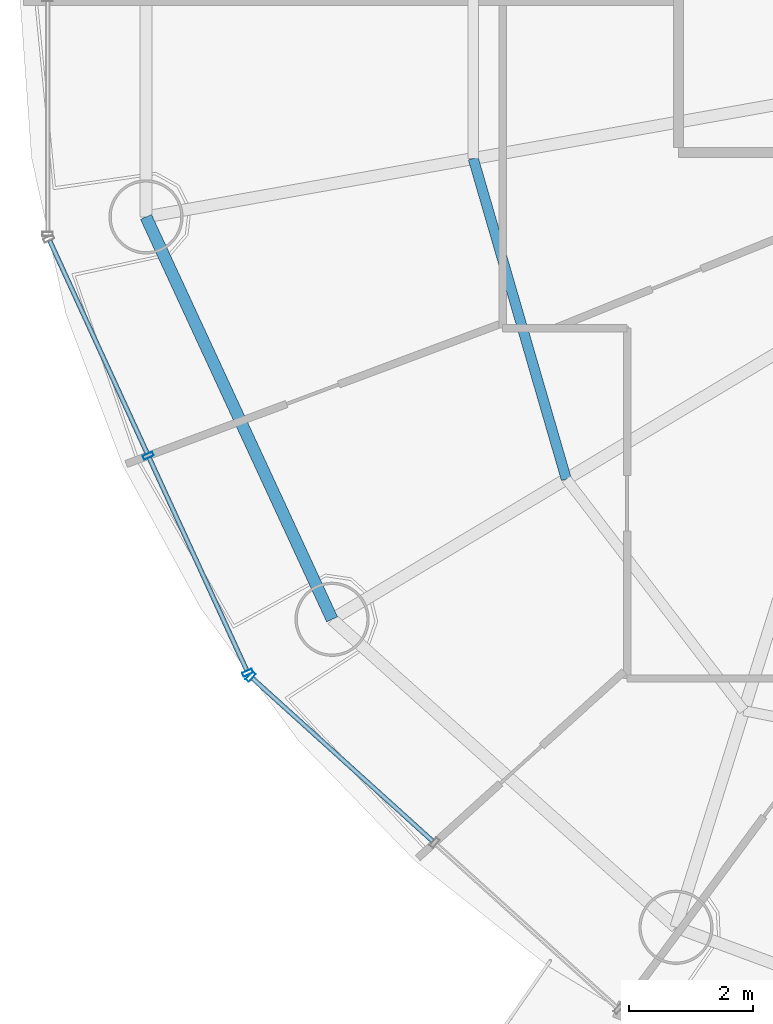
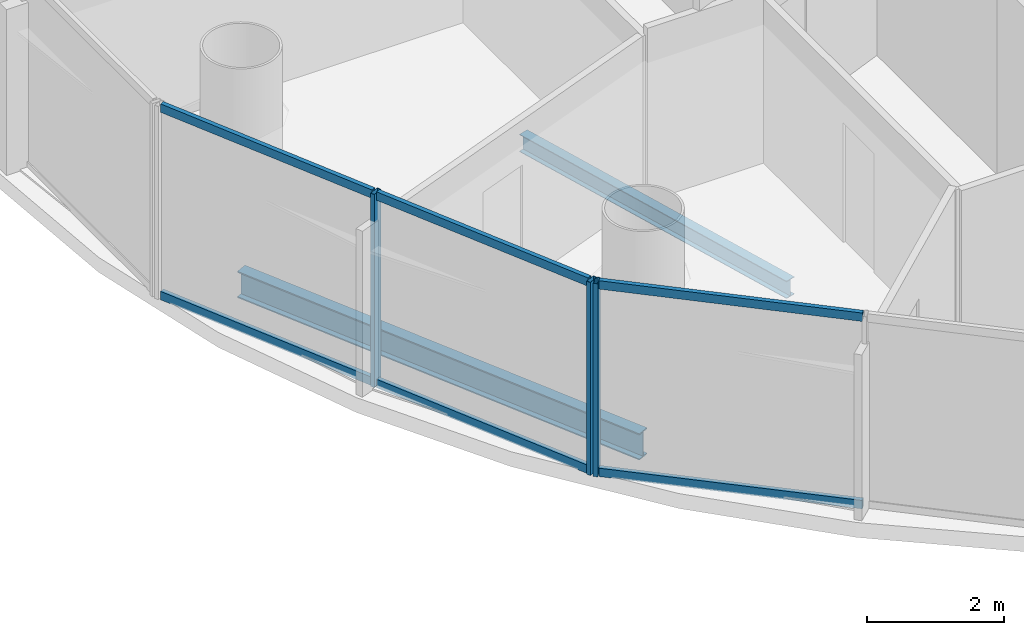
# One storey, part 3 of 26: 9 members, 2 beams, 2 elements without a shape of their own.
"""IFC4 building model written with IfcOpenShell, lengths in metres."""

from ifc_helpers import new_model, si_unit, direction, frame, origin, origin_2d, place, context, subcontext, project, spatial, hollow_rectangle, i_section, extrude, source, transform, mapped, material, material_profile, profile_set, type_object, element, aggregate, save


model = new_model("IFC4")

# Units and contexts
model_context = context("Model", 3, precision=1e-05, world=origin(), true_north=direction((-0.2419218956, 0.970295726276)))
body_context = subcontext(model_context, "Body", "Model", "MODEL_VIEW")
ifc_project = project(units=[si_unit("LENGTHUNIT", "METRE"), si_unit("AREAUNIT", "SQUARE_METRE"), si_unit("VOLUMEUNIT", "CUBIC_METRE"), si_unit("PLANEANGLEUNIT", "RADIAN"), si_unit("MASSUNIT", "GRAM", prefix="KILO")], contexts=[model_context])

# Site, building, storey
site_placement = place(None, origin())
site = spatial("IfcSite", under=ifc_project, at=site_placement, CompositionType="ELEMENT")
building_placement = place(site_placement, origin())
building = spatial("IfcBuilding", under=site, at=building_placement, Name="Cobrevalo Terracotta Tower", CompositionType="ELEMENT")
storey_placement = place(building_placement, frame((0.0, 0.0, 217.10009765625)))
storey = spatial("IfcBuildingStorey", under=building, at=storey_placement, Name="L57", CompositionType="ELEMENT", Elevation=217.10009765625)

# Beams
ifc_material_1 = material(Name="Steel S355", Category="steel")
ifc_material_profile_1 = material_profile(ifc_material_1, i_section(OverallWidth=0.1650390625, OverallDepth=0.31005859375, WebThickness=0.005859375, FlangeThickness=0.009765625, at=origin_2d()), Name="W 310x38.7")
ifc_profile_set_1 = profile_set([ifc_material_profile_1], Name="Steel S355")
beam_type_1 = type_object("IfcBeamType", Name="Structural Joist W 310x38.7 (Steel S355)", PredefinedType="JOIST", material=ifc_profile_set_1)
beam_1_placement = place(storey_placement, frame((23.528564453125, 24.221435546875, -0.420166015625), z_axis=(0.278757705995, -0.960361463902, 0.0), x_axis=(0.960361463902, 0.278757705995, 0.0)))
element("IfcBeam", 1, at=beam_1_placement, inside=storey, type_object=beam_type_1, Name="L57 circumferential secondary floor joist 09", PredefinedType="JOIST", context=body_context, shape_type="SweptSolid", body=[
    extrude(i_section(OverallWidth=0.1650390625, OverallDepth=0.31005859375, WebThickness=0.005859375, FlangeThickness=0.009765625, at=origin_2d()), origin(), (0.0, 0.0, 1.0), 5.396728515625),
])
ifc_material_profile_2 = material_profile(ifc_material_1, i_section(OverallWidth=0.194091796875, OverallDepth=0.468994140625, WebThickness=0.011474609375, FlangeThickness=0.0205078125, at=origin_2d()), Name="W 460x106")
ifc_profile_set_2 = profile_set([ifc_material_profile_2], Name="Steel S355")
beam_type_2 = type_object("IfcBeamType", Name="Structural Spandrel W 460x106 (Steel S355)", PredefinedType="SPANDREL", material=ifc_profile_set_2)
beam_2_placement = place(storey_placement, frame((18.237060546875, 23.278564453125, -0.49951171875), z_axis=(0.419718939129, -0.90765412583, 0.0), x_axis=(0.90765412583, 0.419718939129, 0.0)))
element("IfcBeam", 2, at=beam_2_placement, inside=storey, type_object=beam_type_2, Name="L57 perimeter ring spandrel 09", PredefinedType="SPANDREL", context=body_context, shape_type="SweptSolid", body=[
    extrude(i_section(OverallWidth=0.194091796875, OverallDepth=0.468994140625, WebThickness=0.011474609375, FlangeThickness=0.0205078125, at=origin_2d()), origin(), (0.0, 0.0, 1.0), 7.168701171875),
])

# Curtain wall, members
ifc_material_2 = material(Name="Anodized aluminium", Category="aluminium")
curtain_wall_type = type_object("IfcCurtainWallType", Name="Mid-tower high-wind unitised curtain wall CW-U2", PredefinedType="NOTDEFINED", material=ifc_material_2)
curtain_wall_1_placement = place(storey_placement, origin())
curtain_wall_1 = element("IfcCurtainWall", 3, at=curtain_wall_1_placement, inside=storey, type_object=curtain_wall_type, Name="L57 curtain wall CW-L57-S09", PredefinedType="NOTDEFINED")
ifc_material_profile_3 = material_profile(ifc_material_2, hollow_rectangle(XDim=0.074951171875, YDim=0.14990234375, WallThickness=0.00439453125, at=origin_2d()), Name="CWT 75x150")
ifc_profile_set_3 = profile_set([ifc_material_profile_3], Name="Anodized aluminium")
member_type_1 = type_object("IfcMemberType", Name="Tower unitised aluminium transom 75x150", PredefinedType="USERDEFINED", material=ifc_profile_set_3)
shared_shape_1 = source(origin(), body_context, "Body", "SweptSolid", [
    extrude(hollow_rectangle(XDim=0.074951171875, YDim=0.14990234375, WallThickness=0.00439453125, at=origin_2d()), origin(), (0.0, 0.0, 1.0), 3.780029296875),
])
member_1_placement = place(storey_placement, frame((16.681640625, 22.889892578125, 0.0498046875), z_axis=(0.416705859352, -0.909041377926, 0.0), x_axis=(0.909041377926, 0.416705859352, 0.0)))
member_1 = element("IfcMember", 4, at=member_1_placement, type_object=member_type_1, Name="CW-L57-S09 transom B01-T1", ObjectType="TRANSOM", PredefinedType="USERDEFINED", context=body_context, shape_type="MappedRepresentation", body=[
    mapped(shared_shape_1, transform((0.0, 0.0, 0.0), scale=1.0)),
])
member_2_placement = place(storey_placement, frame((16.681640625, 22.889892578125, 3.385009765625), z_axis=(0.416705859352, -0.909041377926, 0.0), x_axis=(0.909041377926, 0.416705859352, 0.0)))
member_2 = element("IfcMember", 5, at=member_2_placement, type_object=member_type_1, Name="CW-L57-S09 transom B01-T2", ObjectType="TRANSOM", PredefinedType="USERDEFINED", context=body_context, shape_type="MappedRepresentation", body=[
    mapped(shared_shape_1, transform((0.0, 0.0, 0.0), scale=1.0)),
])
member_3_placement = place(storey_placement, frame((18.290283203125, 19.380859375, 0.0498046875), z_axis=(0.416705859352, -0.909041377926, 0.0), x_axis=(0.909041377926, 0.416705859352, 0.0)))
member_3 = element("IfcMember", 6, at=member_3_placement, type_object=member_type_1, Name="CW-L57-S09 transom B02-T1", ObjectType="TRANSOM", PredefinedType="USERDEFINED", context=body_context, shape_type="MappedRepresentation", body=[
    mapped(shared_shape_1, transform((0.0, 0.0, 0.0), scale=1.0)),
])
member_4_placement = place(storey_placement, frame((18.290283203125, 19.380859375, 3.385009765625), z_axis=(0.416705859352, -0.909041377926, 0.0), x_axis=(0.909041377926, 0.416705859352, 0.0)))
member_4 = element("IfcMember", 7, at=member_4_placement, type_object=member_type_1, Name="CW-L57-S09 transom B02-T2", ObjectType="TRANSOM", PredefinedType="USERDEFINED", context=body_context, shape_type="MappedRepresentation", body=[
    mapped(shared_shape_1, transform((0.0, 0.0, 0.0), scale=1.0)),
])

curtain_wall_2_placement = place(storey_placement, origin())
curtain_wall_2 = element("IfcCurtainWall", 8, at=curtain_wall_2_placement, inside=storey, type_object=curtain_wall_type, Name="L57 curtain wall CW-L57-S10", PredefinedType="NOTDEFINED")
shared_shape_2 = source(origin(), body_context, "Body", "SweptSolid", [
    extrude(hollow_rectangle(XDim=0.074951171875, YDim=0.14990234375, WallThickness=0.00439453125, at=origin_2d()), origin(), (0.0, 0.0, 1.0), 3.927490234375),
])
member_5_placement = place(storey_placement, frame((19.958251953125, 15.818359375, 0.0498046875), z_axis=(0.741975952623, -0.670426495396, 0.0), x_axis=(0.670426495396, 0.741975952623, 0.0)))
member_5 = element("IfcMember", 9, at=member_5_placement, type_object=member_type_1, Name="CW-L57-S10 transom B01-T1", ObjectType="TRANSOM", PredefinedType="USERDEFINED", context=body_context, shape_type="MappedRepresentation", body=[
    mapped(shared_shape_2, transform((0.0, 0.0, 0.0), scale=1.0)),
])
member_6_placement = place(storey_placement, frame((19.958251953125, 15.818359375, 3.385009765625), z_axis=(0.741975952623, -0.670426495396, 0.0), x_axis=(0.670426495396, 0.741975952623, 0.0)))
member_6 = element("IfcMember", 10, at=member_6_placement, type_object=member_type_1, Name="CW-L57-S10 transom B01-T2", ObjectType="TRANSOM", PredefinedType="USERDEFINED", context=body_context, shape_type="MappedRepresentation", body=[
    mapped(shared_shape_2, transform((0.0, 0.0, 0.0), scale=1.0)),
])

# Member
ifc_material_profile_4 = material_profile(ifc_material_2, hollow_rectangle(XDim=0.070068359375, YDim=0.169921875, WallThickness=0.00439453125, at=origin_2d()), Name="CWM 70x170")
ifc_profile_set_4 = profile_set([ifc_material_profile_4], Name="Anodized aluminium")
member_type_2 = type_object("IfcMemberType", Name="Upper tower unitised mullion 70x170", PredefinedType="MULLION", material=ifc_profile_set_4)
shared_shape_3 = source(origin(), body_context, "Body", "SweptSolid", [
    extrude(hollow_rectangle(XDim=0.070068359375, YDim=0.169921875, WallThickness=0.00439453125, at=origin_2d()), origin(), (0.0, 0.0, 1.0), 3.434814453125),
])
member_7_placement = place(storey_placement, frame((18.273681640625, 19.417236328125, 0.0), z_axis=(0.0, 0.0, 1.0), x_axis=(0.41672507912, -0.909032567311, 0.0)))
member_7 = element("IfcMember", 11, at=member_7_placement, type_object=member_type_2, Name="CW-L57-S09 vertical mullion 02", PredefinedType="MULLION", context=body_context, shape_type="MappedRepresentation", body=[
    mapped(shared_shape_3, transform((0.0, 0.0, 0.0), scale=1.0)),
])

member_8_placement = place(storey_placement, frame((19.88232421875, 15.908203125, 0.0), z_axis=(0.0, 0.0, 1.0), x_axis=(0.41672507912, -0.909032567311, 0.0)))
member_8 = element("IfcMember", 12, at=member_8_placement, type_object=member_type_2, Name="CW-L57-S09 vertical mullion 03", PredefinedType="MULLION", context=body_context, shape_type="MappedRepresentation", body=[
    mapped(shared_shape_3, transform((0.0, 0.0, 0.0), scale=1.0)),
])

aggregate(curtain_wall_1, [member_7, member_8, member_1, member_2, member_3, member_4])

member_9_placement = place(storey_placement, frame((19.928466796875, 15.84521484375, 0.0), z_axis=(0.0, 0.0, 1.0), x_axis=(0.741987542015, -0.670413668935, 0.0)))
member_9 = element("IfcMember", 13, at=member_9_placement, type_object=member_type_2, Name="CW-L57-S10 vertical mullion 01", PredefinedType="MULLION", context=body_context, shape_type="MappedRepresentation", body=[
    mapped(shared_shape_3, transform((0.0, 0.0, 0.0), scale=1.0)),
])

aggregate(curtain_wall_2, [member_9, member_5, member_6])

save(model, "model.ifc")
